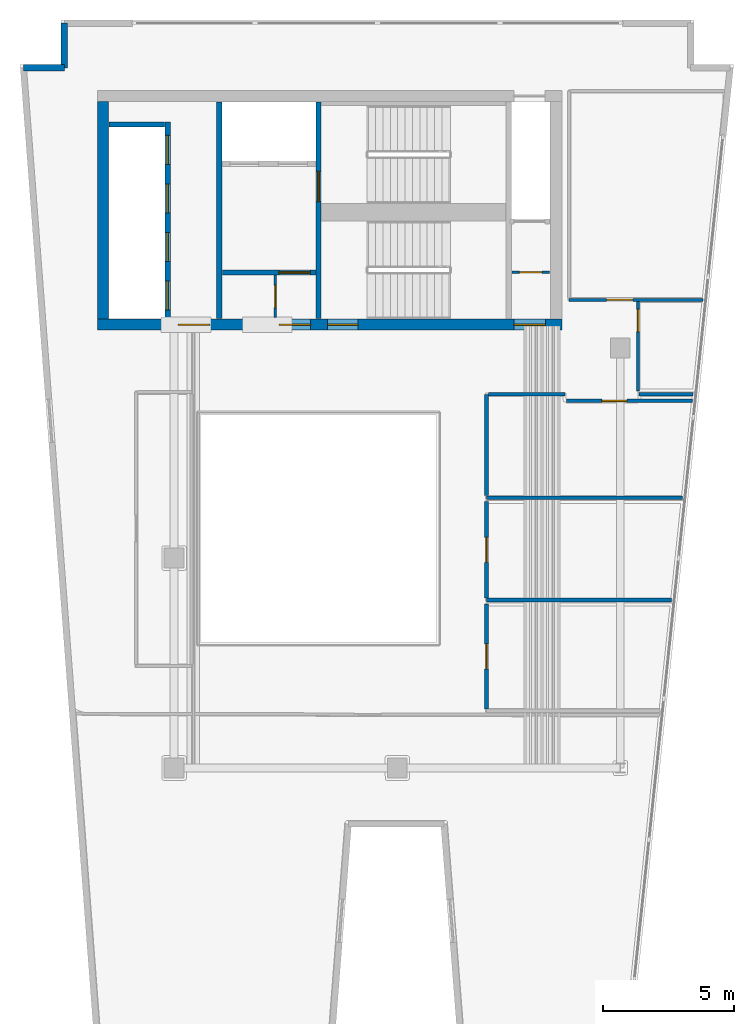
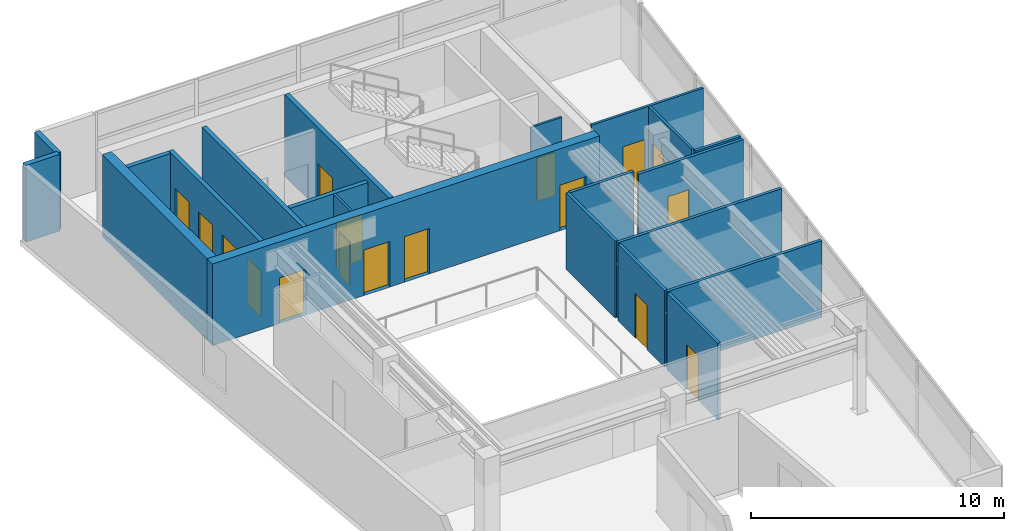
# One storey, part 3 of 6: 21 walls, 17 doors, 17 openings.
"""IFC4 building model written with IfcOpenShell, lengths in metres."""

from ifc_helpers import new_model, si_unit, direction, frame, frame_2d, origin, place, context, subcontext, project, spatial, rectangle, extrude, material, layer, layer_set, type_object, element, fill, save


model = new_model("IFC4")

# Units and contexts
model_context = context("Model", 3, precision=1e-05, world=origin(), true_north=direction((0.0, 1.0)))
body_context = subcontext(model_context, "Body", "Model", "MODEL_VIEW")
ifc_project = project(units=[si_unit("LENGTHUNIT", "METRE"), si_unit("AREAUNIT", "SQUARE_METRE"), si_unit("VOLUMEUNIT", "CUBIC_METRE"), si_unit("PLANEANGLEUNIT", "RADIAN"), si_unit("MASSUNIT", "GRAM", prefix="KILO")], contexts=[model_context])

# Site, building, storey
site_placement = place(None, origin())
site = spatial("IfcSite", under=ifc_project, at=site_placement, CompositionType="ELEMENT")
building_placement = place(site_placement, origin())
building = spatial("IfcBuilding", under=site, at=building_placement, Name="Caeloran Harvest Quay", CompositionType="ELEMENT")
storey_placement = place(building_placement, frame((0.0, 0.0, 292.25)))
storey = spatial("IfcBuildingStorey", under=building, at=storey_placement, Name="L70", CompositionType="ELEMENT", Elevation=292.25)

# Walls
ifc_material_1 = material(Name="Precast concrete C50/60", Category="concrete")
ifc_layer_1 = layer(ifc_material_1, 0.239990234375, Name="Precast concrete C50/60")
ifc_layer_set_1 = layer_set([ifc_layer_1], Name="Precast concrete C50/60")
wall_type_1 = type_object("IfcWallType", Name="ENV-WALL-EW-240", PredefinedType="STANDARD", material=ifc_layer_set_1)
wall_1_placement = place(storey_placement, frame((2.7587890625, 41.679931640625, 0.0), z_axis=(0.0, 0.0, 1.0), x_axis=(1.0, 0.0, 0.0)))
element("IfcWall", 1, at=wall_1_placement, inside=storey, type_object=wall_type_1, Name="L70 Exterior Precast Concrete Facade Wall 4", PredefinedType="STANDARD", context=body_context, shape_type="SweptSolid", body=[
    extrude(rectangle(XDim=1.561279296875, YDim=0.239990234375, at=frame_2d((0.78076171875, 0.0))), origin(), (0.0, 0.0, 1.0), 3.699951171875),
])
wall_2_placement = place(storey_placement, frame((4.320068359375, 41.679931640625, 0.0), z_axis=(0.0, 0.0, 1.0), x_axis=(0.0, 1.0, 0.0)))
element("IfcWall", 2, at=wall_2_placement, inside=storey, type_object=wall_type_1, Name="L70 Exterior Precast Concrete Facade Wall 5", PredefinedType="STANDARD", context=body_context, shape_type="SweptSolid", body=[
    extrude(rectangle(XDim=1.699951171875, YDim=0.239990234375, at=frame_2d((0.85009765625, 0.0))), origin(), (0.0, 0.0, 1.0), 3.699951171875),
])

# Wall, opening, door
ifc_material_2 = material(Name="Fire-Resisting Gypsum Core Riser Partition", Category="gypsum")
ifc_layer_2 = layer(ifc_material_2, 0.10009765625, Name="Fire-Resisting Gypsum Core Riser Partition")
ifc_layer_set_2 = layer_set([ifc_layer_2], Name="Fire-Resisting Gypsum Core Riser Partition")
wall_type_2 = type_object("IfcWallType", Name="INT-WALL-PW-100", PredefinedType="PARTITIONING", material=ifc_layer_set_2)
wall_3_placement = place(storey_placement, frame((12.360107421875, 32.159912109375, 0.0), z_axis=(0.0, 0.0, 1.0), x_axis=(0.0, 1.0, 0.0)))
wall_3 = element("IfcWall", 3, at=wall_3_placement, inside=storey, type_object=wall_type_2, Name="L70 Core Store Partition Wall", PredefinedType="PARTITIONING", context=body_context, shape_type="SweptSolid", body=[
    extrude(rectangle(XDim=1.6201171875, YDim=0.10009765625, at=frame_2d((0.81005859375, 0.0))), origin(), (0.0, 0.0, 1.0), 3.699951171875),
])
opening_1_placement = place(wall_3_placement, frame((0.3798828125, 0.0, 0.0)))
opening_1 = element("IfcOpeningElement", 4, at=opening_1_placement, cuts=wall_3, Name="Opening SV-01", PredefinedType="OPENING", context=body_context, shape_type="SweptSolid", body=[
    extrude(rectangle(XDim=0.85009765625, YDim=2.10009765625, at=frame_2d((0.425048828125, 1.050048828125))), frame((0.0, 0.06005859375, 0.0), z_axis=(0.0, -1.0, 0.0), x_axis=(1.0, 0.0, 0.0)), (0.0, 0.0, 1.0), 0.1201171875),
])
ifc_material_3 = material(Name="Galvanized Painted Steel", Category="steel")
door_type_1 = type_object("IfcDoorType", Name="INTDOOR-SV-01", OperationType="NOTDEFINED", PredefinedType="DOOR", material=ifc_material_3)
door_1_placement = place(opening_1_placement, origin())
door_1 = element("IfcDoor", 5, at=door_1_placement, inside=storey, type_object=door_type_1, Name="L70 Core Service Room Access Door", OperationType="SINGLE_SWING_LEFT", OverallHeight=2.10009765625, OverallWidth=0.85009765625, PredefinedType="DOOR", context=body_context, shape_type="SweptSolid", body=[
    extrude(rectangle(XDim=0.85009765625, YDim=2.10009765625, at=frame_2d((0.425048828125, 1.050048828125))), frame((0.0, 0.02490234375, 0.0), z_axis=(0.0, -1.0, 0.0), x_axis=(1.0, 0.0, 0.0)), (0.0, 0.0, 1.0), 0.050048828125),
])
fill(opening_1, door_1)

wall_4_placement = place(storey_placement, frame((21.3798828125, 33.889892578125, 0.0), z_axis=(0.0, 0.0, 1.0), x_axis=(1.0, 0.0, 0.0)))
wall_4 = element("IfcWall", 6, at=wall_4_placement, inside=storey, type_object=wall_type_2, Name="L70 Cleaner Store Partition Wall", PredefinedType="PARTITIONING", context=body_context, shape_type="SweptSolid", body=[
    extrude(rectangle(XDim=1.420166015625, YDim=0.10009765625, at=frame_2d((0.7099609375, 0.0))), origin(), (0.0, 0.0, 1.0), 3.699951171875),
])
opening_2_placement = place(wall_4_placement, frame((0.280029296875, 0.0, 0.0)))
opening_2 = element("IfcOpeningElement", 7, at=opening_2_placement, cuts=wall_4, Name="Opening SV-01", PredefinedType="OPENING", context=body_context, shape_type="SweptSolid", body=[
    extrude(rectangle(XDim=0.85009765625, YDim=2.10009765625, at=frame_2d((0.425048828125, 1.050048828125))), frame((0.0, 0.06005859375, 0.0), z_axis=(0.0, -1.0, 0.0), x_axis=(1.0, 0.0, 0.0)), (0.0, 0.0, 1.0), 0.1201171875),
])
door_2_placement = place(opening_2_placement, origin())
door_2 = element("IfcDoor", 8, at=door_2_placement, inside=storey, type_object=door_type_1, Name="L70 Cleaner Supply Store Access Door", OperationType="SINGLE_SWING_RIGHT", OverallHeight=2.10009765625, OverallWidth=0.85009765625, PredefinedType="DOOR", context=body_context, shape_type="SweptSolid", body=[
    extrude(rectangle(XDim=0.85009765625, YDim=2.10009765625, at=frame_2d((0.425048828125, 1.050048828125))), frame((0.0, 0.02490234375, 0.0), z_axis=(0.0, -1.0, 0.0), x_axis=(1.0, 0.0, 0.0)), (0.0, 0.0, 1.0), 0.050048828125),
])
fill(opening_2, door_2)

ifc_material_4 = material(Name="Single-Stud Acoustic Gypsum Office Partition", Category="gypsum")
ifc_layer_3 = layer(ifc_material_4, 0.112060546875, Name="Single-Stud Acoustic Gypsum Office Partition")
ifc_layer_set_3 = layer_set([ifc_layer_3], Name="Single-Stud Acoustic Gypsum Office Partition")
wall_type_3 = type_object("IfcWallType", Name="INT-WALL-PW-112", PredefinedType="PARTITIONING", material=ifc_layer_set_3)
wall_5_placement = place(storey_placement, frame((28.654052734375, 32.840087890625, 0.0), z_axis=(0.0, 0.0, 1.0), x_axis=(-1.0, 0.0, 0.0)))
wall_5 = element("IfcWall", 9, at=wall_5_placement, inside=storey, type_object=wall_type_3, Name="L70 Bioinformatics and Crop Phenotyping Laboratory Partition Wall", PredefinedType="PARTITIONING", context=body_context, shape_type="SweptSolid", body=[
    extrude(rectangle(XDim=5.114013671875, YDim=0.112060546875, at=frame_2d((2.55712890625, 0.0))), origin(), (0.0, 0.0, 1.0), 3.699951171875),
])
opening_3_placement = place(wall_5_placement, frame((2.6767578125, 0.0, 0.0)))
opening_3 = element("IfcOpeningElement", 10, at=opening_3_placement, cuts=wall_5, Name="Opening ID-01", PredefinedType="OPENING", context=body_context, shape_type="SweptSolid", body=[
    extrude(rectangle(XDim=1.0, YDim=2.14990234375, at=frame_2d((0.5, 1.074951171875))), frame((0.0, 0.06591796875, 0.0), z_axis=(0.0, -1.0, 0.0), x_axis=(1.0, 0.0, 0.0)), (0.0, 0.0, 1.0), 0.132080078125),
])
ifc_material_5 = material(Name="FSC Solid-Core Ash Timber and Acoustic Seal", Category="wood")
door_type_2 = type_object("IfcDoorType", Name="INTDOOR-ID-01", OperationType="NOTDEFINED", PredefinedType="DOOR", material=ifc_material_5)
door_3_placement = place(opening_3_placement, origin())
door_3 = element("IfcDoor", 11, at=door_3_placement, inside=storey, type_object=door_type_2, Name="L70 Bioinformatics and Crop Phenotyping Laboratory Access Door", OperationType="SINGLE_SWING_RIGHT", OverallHeight=2.14990234375, OverallWidth=1.0, PredefinedType="DOOR", context=body_context, shape_type="SweptSolid", body=[
    extrude(rectangle(XDim=1.0, YDim=2.14990234375, at=frame_2d((0.5, 1.074951171875))), frame((0.0, 0.02490234375, 0.0), z_axis=(0.0, -1.0, 0.0), x_axis=(1.0, 0.0, 0.0)), (0.0, 0.0, 1.0), 0.050048828125),
])
fill(opening_3, door_3)

wall_6_placement = place(storey_placement, frame((26.179931640625, 29.3701171875, 0.0), z_axis=(0.0, 0.0, 1.0), x_axis=(0.0, 1.0, 0.0)))
wall_6 = element("IfcWall", 12, at=wall_6_placement, inside=storey, type_object=wall_type_3, Name="Advisory Council Boardroom Partition Wall", PredefinedType="PARTITIONING", context=body_context, shape_type="SweptSolid", body=[
    extrude(rectangle(XDim=3.408935546875, YDim=0.112060546875, at=frame_2d((1.70458984375, 0.0))), origin(), (0.0, 0.0, 1.0), 3.699951171875),
])
opening_4_placement = place(wall_6_placement, frame((2.25341796875, 0.0, 0.0)))
opening_4 = element("IfcOpeningElement", 13, at=opening_4_placement, cuts=wall_6, Name="Opening SV-01", PredefinedType="OPENING", context=body_context, shape_type="SweptSolid", body=[
    extrude(rectangle(XDim=0.85009765625, YDim=2.10009765625, at=frame_2d((0.425048828125, 1.050048828125))), frame((0.0, 0.06591796875, 0.0), z_axis=(0.0, -1.0, 0.0), x_axis=(1.0, 0.0, 0.0)), (0.0, 0.0, 1.0), 0.132080078125),
])
door_4_placement = place(opening_4_placement, origin())
door_4 = element("IfcDoor", 14, at=door_4_placement, inside=storey, type_object=door_type_1, Name="Advisory Council Boardroom Access Door", OperationType="SINGLE_SWING_LEFT", OverallHeight=2.10009765625, OverallWidth=0.85009765625, PredefinedType="DOOR", context=body_context, shape_type="SweptSolid", body=[
    extrude(rectangle(XDim=0.85009765625, YDim=2.10009765625, at=frame_2d((0.425048828125, 1.050048828125))), frame((0.0, 0.02490234375, 0.0), z_axis=(0.0, -1.0, 0.0), x_axis=(1.0, 0.0, 0.0)), (0.0, 0.0, 1.0), 0.050048828125),
])
fill(opening_4, door_4)

ifc_material_6 = material(Name="Moisture-Resistant Cement-Board Sanitary Partition", Category="gypsum")
ifc_layer_4 = layer(ifc_material_6, 0.139892578125, Name="Moisture-Resistant Cement-Board Sanitary Partition")
ifc_layer_set_4 = layer_set([ifc_layer_4], Name="Moisture-Resistant Cement-Board Sanitary Partition")
wall_type_4 = type_object("IfcWallType", Name="INT-WALL-PW-140", PredefinedType="PARTITIONING", material=ifc_layer_set_4)
wall_7_placement = place(storey_placement, frame((23.449951171875, 28.989990234375, 0.0), z_axis=(0.0, 0.0, 1.0), x_axis=(1.0, 0.0, 0.0)))
wall_7 = element("IfcWall", 15, at=wall_7_placement, inside=storey, type_object=wall_type_4, Name="L70 Male Washroom WC Partition Wall", PredefinedType="PARTITIONING", context=body_context, shape_type="SweptSolid", body=[
    extrude(rectangle(XDim=4.799560546875, YDim=0.139892578125, at=frame_2d((2.39990234375, 0.0))), origin(), (0.0, 0.0, 1.0), 3.699951171875),
])
opening_5_placement = place(wall_7_placement, frame((1.347412109375, 0.0, 0.0)))
opening_5 = element("IfcOpeningElement", 16, at=opening_5_placement, cuts=wall_7, Name="Opening WC-01", PredefinedType="OPENING", context=body_context, shape_type="SweptSolid", body=[
    extrude(rectangle(XDim=0.949951171875, YDim=2.14990234375, at=frame_2d((0.47509765625, 1.074951171875))), frame((0.0, 0.080078125, 0.0), z_axis=(0.0, -1.0, 0.0), x_axis=(1.0, 0.0, 0.0)), (0.0, 0.0, 1.0), 0.159912109375),
])
ifc_material_7 = material(Name="High-Pressure Laminate Moisture-Resistant Timber", Category="wood")
door_type_3 = type_object("IfcDoorType", Name="INTDOOR-WC-01", OperationType="NOTDEFINED", PredefinedType="DOOR", material=ifc_material_7)
door_5_placement = place(opening_5_placement, origin())
door_5 = element("IfcDoor", 17, at=door_5_placement, inside=storey, type_object=door_type_3, Name="L70 Male Washroom WC Access Door", OperationType="SINGLE_SWING_RIGHT", OverallHeight=2.14990234375, OverallWidth=0.949951171875, PredefinedType="DOOR", context=body_context, shape_type="SweptSolid", body=[
    extrude(rectangle(XDim=0.949951171875, YDim=2.14990234375, at=frame_2d((0.47509765625, 1.074951171875))), frame((0.0, 0.02490234375, 0.0), z_axis=(0.0, -1.0, 0.0), x_axis=(1.0, 0.0, 0.0)), (0.0, 0.0, 1.0), 0.050048828125),
])
fill(opening_5, door_5)

# Walls
wall_8_placement = place(storey_placement, frame((26.2099609375, 29.239990234375, 0.0), z_axis=(0.0, 0.0, 1.0), x_axis=(1.0, 0.0, 0.0)))
element("IfcWall", 18, at=wall_8_placement, inside=storey, type_object=wall_type_4, Name="L70 Male Washroom WC Partition Wall", PredefinedType="PARTITIONING", context=body_context, shape_type="SweptSolid", body=[
    extrude(rectangle(XDim=2.06591796875, YDim=0.139892578125, at=frame_2d((1.032958984375, 0.0))), origin(), (0.0, 0.0, 1.0), 3.699951171875),
])
wall_9_placement = place(storey_placement, frame((27.862060546875, 25.300048828125, 0.0), z_axis=(0.0, 0.0, 1.0), x_axis=(-1.0, 0.0, 0.0)))
element("IfcWall", 19, at=wall_9_placement, inside=storey, type_object=wall_type_4, Name="L70 Male Washroom WC Partition Wall", PredefinedType="PARTITIONING", context=body_context, shape_type="SweptSolid", body=[
    extrude(rectangle(XDim=7.462158203125, YDim=0.139892578125, at=frame_2d((3.73095703125, 0.0))), origin(), (0.0, 0.0, 1.0), 3.699951171875),
])
wall_10_placement = place(storey_placement, frame((20.39990234375, 25.375, 0.0), z_axis=(0.0, 0.0, 1.0), x_axis=(0.0, 1.0, 0.0)))
element("IfcWall", 20, at=wall_10_placement, inside=storey, type_object=wall_type_4, Name="L70 Male Washroom WC Partition Wall", PredefinedType="PARTITIONING", context=body_context, shape_type="SweptSolid", body=[
    extrude(rectangle(XDim=3.864990234375, YDim=0.139892578125, at=frame_2d((1.9326171875, 0.0))), origin(), (0.0, 0.0, 1.0), 3.699951171875),
])
wall_11_placement = place(storey_placement, frame((20.47509765625, 29.239990234375, 0.0), z_axis=(0.0, 0.0, 1.0), x_axis=(1.0, 0.0, 0.0)))
element("IfcWall", 21, at=wall_11_placement, inside=storey, type_object=wall_type_4, Name="L70 Male Washroom WC Partition Wall", PredefinedType="PARTITIONING", context=body_context, shape_type="SweptSolid", body=[
    extrude(rectangle(XDim=2.914794921875, YDim=0.139892578125, at=frame_2d((1.45751953125, 0.0))), origin(), (0.0, 0.0, 1.0), 3.699951171875),
])
wall_12_placement = place(storey_placement, frame((27.452392578125, 21.39990234375, 0.0), z_axis=(0.0, 0.0, 1.0), x_axis=(-1.0, 0.0, 0.0)))
element("IfcWall", 22, at=wall_12_placement, inside=storey, type_object=wall_type_4, Name="L70 Female Washroom WC Partition Wall", PredefinedType="PARTITIONING", context=body_context, shape_type="SweptSolid", body=[
    extrude(rectangle(XDim=7.052490234375, YDim=0.139892578125, at=frame_2d((3.5263671875, 0.0))), origin(), (0.0, 0.0, 1.0), 3.699951171875),
])

# Wall, opening, door
wall_13_placement = place(storey_placement, frame((20.39990234375, 21.47509765625, 0.0), z_axis=(0.0, 0.0, 1.0), x_axis=(0.0, 1.0, 0.0)))
wall_13 = element("IfcWall", 23, at=wall_13_placement, inside=storey, type_object=wall_type_4, Name="L70 Female Washroom WC Partition Wall", PredefinedType="PARTITIONING", context=body_context, shape_type="SweptSolid", body=[
    extrude(rectangle(XDim=3.6748046875, YDim=0.139892578125, at=frame_2d((1.83740234375, 0.0))), origin(), (0.0, 0.0, 1.0), 3.699951171875),
])
opening_6_placement = place(wall_13_placement, frame((1.362548828125, 0.0, 0.0)))
opening_6 = element("IfcOpeningElement", 24, at=opening_6_placement, cuts=wall_13, Name="Opening WC-01", PredefinedType="OPENING", context=body_context, shape_type="SweptSolid", body=[
    extrude(rectangle(XDim=0.949951171875, YDim=2.14990234375, at=frame_2d((0.47509765625, 1.074951171875))), frame((0.0, 0.080078125, 0.0), z_axis=(0.0, -1.0, 0.0), x_axis=(1.0, 0.0, 0.0)), (0.0, 0.0, 1.0), 0.159912109375),
])
door_6_placement = place(opening_6_placement, origin())
door_6 = element("IfcDoor", 25, at=door_6_placement, inside=storey, type_object=door_type_3, Name="L70 Female Washroom WC Access Door", OperationType="SINGLE_SWING_LEFT", OverallHeight=2.14990234375, OverallWidth=0.949951171875, PredefinedType="DOOR", context=body_context, shape_type="SweptSolid", body=[
    extrude(rectangle(XDim=0.949951171875, YDim=2.14990234375, at=frame_2d((0.47509765625, 1.074951171875))), frame((0.0, 0.02490234375, 0.0), z_axis=(0.0, -1.0, 0.0), x_axis=(1.0, 0.0, 0.0)), (0.0, 0.0, 1.0), 0.050048828125),
])
fill(opening_6, door_6)

wall_14_placement = place(storey_placement, frame((20.39990234375, 17.2548828125, 0.0), z_axis=(0.0, 0.0, 1.0), x_axis=(0.0, 1.0, 0.0)))
wall_14 = element("IfcWall", 26, at=wall_14_placement, inside=storey, type_object=wall_type_4, Name="L70 Accessible Unisex Washroom WC Partition Wall", PredefinedType="PARTITIONING", context=body_context, shape_type="SweptSolid", body=[
    extrude(rectangle(XDim=3.9951171875, YDim=0.139892578125, at=frame_2d((1.99755859375, 0.0))), origin(), (0.0, 0.0, 1.0), 3.699951171875),
])
opening_7_placement = place(wall_14_placement, frame((1.5224609375, 0.0, 0.0)))
opening_7 = element("IfcOpeningElement", 27, at=opening_7_placement, cuts=wall_14, Name="Opening WC-01", PredefinedType="OPENING", context=body_context, shape_type="SweptSolid", body=[
    extrude(rectangle(XDim=0.949951171875, YDim=2.14990234375, at=frame_2d((0.47509765625, 1.074951171875))), frame((0.0, 0.080078125, 0.0), z_axis=(0.0, -1.0, 0.0), x_axis=(1.0, 0.0, 0.0)), (0.0, 0.0, 1.0), 0.159912109375),
])
door_7_placement = place(opening_7_placement, origin())
door_7 = element("IfcDoor", 28, at=door_7_placement, inside=storey, type_object=door_type_3, Name="L70 Accessible Unisex Washroom WC Access Door", OperationType="SINGLE_SWING_RIGHT", OverallHeight=2.14990234375, OverallWidth=0.949951171875, PredefinedType="DOOR", context=body_context, shape_type="SweptSolid", body=[
    extrude(rectangle(XDim=0.949951171875, YDim=2.14990234375, at=frame_2d((0.47509765625, 1.074951171875))), frame((0.0, 0.02490234375, 0.0), z_axis=(0.0, -1.0, 0.0), x_axis=(1.0, 0.0, 0.0)), (0.0, 0.0, 1.0), 0.050048828125),
])
fill(opening_7, door_7)

# Wall, openings, doors
ifc_material_8 = material(Name="Concrete C50/60", Category="concrete")
ifc_layer_5 = layer(ifc_material_8, 0.199951171875, Name="Concrete C50/60")
ifc_layer_set_5 = layer_set([ifc_layer_5], Name="Concrete C50/60")
wall_type_5 = type_object("IfcWallType", Name="INT-WALL-SW-200", PredefinedType="PARTITIONING", material=ifc_layer_set_5)
wall_15_placement = place(storey_placement, frame((8.260009765625, 32.1201171875, 0.0), z_axis=(0.0, 0.0, 1.0), x_axis=(0.0, 1.0, 0.0)))
wall_15 = element("IfcWall", 29, at=wall_15_placement, inside=storey, type_object=wall_type_5, Name="L70 Bank 3 Lift Shaft Wall", PredefinedType="PARTITIONING", context=body_context, shape_type="SweptSolid", body=[
    extrude(rectangle(XDim=7.5, YDim=0.199951171875, at=frame_2d((3.75, 0.0))), origin(), (0.0, 0.0, 1.0), 3.699951171875),
])
opening_8_placement = place(wall_15_placement, frame((0.330078125, 0.0, 0.0)))
opening_8 = element("IfcOpeningElement", 30, at=opening_8_placement, cuts=wall_15, Name="Opening LD-01", PredefinedType="OPENING", context=body_context, shape_type="SweptSolid", body=[
    extrude(rectangle(XDim=1.10009765625, YDim=2.199951171875, at=frame_2d((0.550048828125, 1.10009765625))), frame((0.0, 0.10986328125, 0.0), z_axis=(0.0, -1.0, 0.0), x_axis=(1.0, 0.0, 0.0)), (0.0, 0.0, 1.0), 0.219970703125),
])
opening_9_placement = place(wall_15_placement, frame((2.179931640625, 0.0, 0.0)))
opening_9 = element("IfcOpeningElement", 31, at=opening_9_placement, cuts=wall_15, Name="Opening LD-01", PredefinedType="OPENING", context=body_context, shape_type="SweptSolid", body=[
    extrude(rectangle(XDim=1.10009765625, YDim=2.199951171875, at=frame_2d((0.550048828125, 1.10009765625))), frame((0.0, 0.10986328125, 0.0), z_axis=(0.0, -1.0, 0.0), x_axis=(1.0, 0.0, 0.0)), (0.0, 0.0, 1.0), 0.219970703125),
])
opening_10_placement = place(wall_15_placement, frame((4.030029296875, 0.0, 0.0)))
opening_10 = element("IfcOpeningElement", 32, at=opening_10_placement, cuts=wall_15, Name="Opening LD-01", PredefinedType="OPENING", context=body_context, shape_type="SweptSolid", body=[
    extrude(rectangle(XDim=1.10009765625, YDim=2.199951171875, at=frame_2d((0.550048828125, 1.10009765625))), frame((0.0, 0.10986328125, 0.0), z_axis=(0.0, -1.0, 0.0), x_axis=(1.0, 0.0, 0.0)), (0.0, 0.0, 1.0), 0.219970703125),
])
opening_11_placement = place(wall_15_placement, frame((5.8798828125, 0.0, 0.0)))
opening_11 = element("IfcOpeningElement", 33, at=opening_11_placement, cuts=wall_15, Name="Opening LD-01", PredefinedType="OPENING", context=body_context, shape_type="SweptSolid", body=[
    extrude(rectangle(XDim=1.10009765625, YDim=2.199951171875, at=frame_2d((0.550048828125, 1.10009765625))), frame((0.0, 0.10986328125, 0.0), z_axis=(0.0, -1.0, 0.0), x_axis=(1.0, 0.0, 0.0)), (0.0, 0.0, 1.0), 0.219970703125),
])
ifc_material_9 = material(Name="Stainless Steel Grade 316", Category="steel")
door_type_4 = type_object("IfcDoorType", Name="INTDOOR-LD-01", OperationType="NOTDEFINED", PredefinedType="DOOR", material=ifc_material_9)
door_8_placement = place(opening_8_placement, origin())
door_8 = element("IfcDoor", 34, at=door_8_placement, inside=storey, type_object=door_type_4, Name="Lift P3-1 Sliding Landing Door (L70)", OperationType="DOUBLE_DOOR_SLIDING", OverallHeight=2.199951171875, OverallWidth=1.10009765625, PredefinedType="DOOR", context=body_context, shape_type="SweptSolid", body=[
    extrude(rectangle(XDim=1.10009765625, YDim=2.199951171875, at=frame_2d((0.550048828125, 1.10009765625))), frame((0.0, 0.02490234375, 0.0), z_axis=(0.0, -1.0, 0.0), x_axis=(1.0, 0.0, 0.0)), (0.0, 0.0, 1.0), 0.050048828125),
])
fill(opening_8, door_8)
door_9_placement = place(opening_9_placement, origin())
door_9 = element("IfcDoor", 35, at=door_9_placement, inside=storey, type_object=door_type_4, Name="Lift P3-2 Sliding Landing Door (L70)", OperationType="DOUBLE_DOOR_SLIDING", OverallHeight=2.199951171875, OverallWidth=1.10009765625, PredefinedType="DOOR", context=body_context, shape_type="SweptSolid", body=[
    extrude(rectangle(XDim=1.10009765625, YDim=2.199951171875, at=frame_2d((0.550048828125, 1.10009765625))), frame((0.0, 0.02490234375, 0.0), z_axis=(0.0, -1.0, 0.0), x_axis=(1.0, 0.0, 0.0)), (0.0, 0.0, 1.0), 0.050048828125),
])
fill(opening_9, door_9)
door_10_placement = place(opening_10_placement, origin())
door_10 = element("IfcDoor", 36, at=door_10_placement, inside=storey, type_object=door_type_4, Name="Lift P3-3 Sliding Landing Door (L70)", OperationType="DOUBLE_DOOR_SLIDING", OverallHeight=2.199951171875, OverallWidth=1.10009765625, PredefinedType="DOOR", context=body_context, shape_type="SweptSolid", body=[
    extrude(rectangle(XDim=1.10009765625, YDim=2.199951171875, at=frame_2d((0.550048828125, 1.10009765625))), frame((0.0, 0.02490234375, 0.0), z_axis=(0.0, -1.0, 0.0), x_axis=(1.0, 0.0, 0.0)), (0.0, 0.0, 1.0), 0.050048828125),
])
fill(opening_10, door_10)
door_11_placement = place(opening_11_placement, origin())
door_11 = element("IfcDoor", 37, at=door_11_placement, inside=storey, type_object=door_type_4, Name="Lift P3-4 Sliding Landing Door (L70)", OperationType="DOUBLE_DOOR_SLIDING", OverallHeight=2.199951171875, OverallWidth=1.10009765625, PredefinedType="DOOR", context=body_context, shape_type="SweptSolid", body=[
    extrude(rectangle(XDim=1.10009765625, YDim=2.199951171875, at=frame_2d((0.550048828125, 1.10009765625))), frame((0.0, 0.02490234375, 0.0), z_axis=(0.0, -1.0, 0.0), x_axis=(1.0, 0.0, 0.0)), (0.0, 0.0, 1.0), 0.050048828125),
])
fill(opening_11, door_11)

# Walls
wall_16_placement = place(storey_placement, frame((6.02001953125, 39.52001953125, 0.0), z_axis=(0.0, 0.0, 1.0), x_axis=(1.0, 0.0, 0.0)))
element("IfcWall", 38, at=wall_16_placement, inside=storey, type_object=wall_type_5, Name="L70 Bank 3 Lift Shaft North End Wall", PredefinedType="PARTITIONING", context=body_context, shape_type="SweptSolid", body=[
    extrude(rectangle(XDim=2.119873046875, YDim=0.199951171875, at=frame_2d((1.06005859375, 0.0))), origin(), (0.0, 0.0, 1.0), 3.699951171875),
])
wall_17_placement = place(storey_placement, frame((10.219970703125, 32.1201171875, 0.0), z_axis=(0.0, 0.0, 1.0), x_axis=(0.0, 1.0, 0.0)))
element("IfcWall", 39, at=wall_17_placement, inside=storey, type_object=wall_type_5, Name="L70 Core Lobby Compartment Wall", PredefinedType="PARTITIONING", context=body_context, shape_type="SweptSolid", body=[
    extrude(rectangle(XDim=8.259765625, YDim=0.199951171875, at=frame_2d((4.1298828125, 0.0))), origin(), (0.0, 0.0, 1.0), 3.699951171875),
])

# Wall, opening, door
wall_18_placement = place(storey_placement, frame((10.340087890625, 33.8798828125, 0.0), z_axis=(0.0, 0.0, 1.0), x_axis=(1.0, 0.0, 0.0)))
wall_18 = element("IfcWall", 40, at=wall_18_placement, inside=storey, type_object=wall_type_5, Name="L70 Firefighting Lift Lobby Enclosure Wall", PredefinedType="PARTITIONING", context=body_context, shape_type="SweptSolid", body=[
    extrude(rectangle(XDim=3.559814453125, YDim=0.199951171875, at=frame_2d((1.77978515625, 0.0))), origin(), (0.0, 0.0, 1.0), 3.699951171875),
])
opening_12_placement = place(wall_18_placement, frame((2.14990234375, 0.0, 0.0)))
opening_12 = element("IfcOpeningElement", 41, at=opening_12_placement, cuts=wall_18, Name="Opening FD-01", PredefinedType="OPENING", context=body_context, shape_type="SweptSolid", body=[
    extrude(rectangle(XDim=1.199951171875, YDim=2.199951171875, at=frame_2d((0.60009765625, 1.10009765625))), frame((0.0, 0.10986328125, 0.0), z_axis=(0.0, -1.0, 0.0), x_axis=(1.0, 0.0, 0.0)), (0.0, 0.0, 1.0), 0.219970703125),
])
ifc_material_10 = material(Name="Steel", Category="steel")
door_type_5 = type_object("IfcDoorType", Name="INTDOOR-FD-01", OperationType="NOTDEFINED", PredefinedType="DOOR", material=ifc_material_10)
door_12_placement = place(opening_12_placement, origin())
door_12 = element("IfcDoor", 42, at=door_12_placement, inside=storey, type_object=door_type_5, Name="L70 Firefighting Lift Lobby Smoke-Seal Fire Door", OperationType="SINGLE_SWING_RIGHT", OverallHeight=2.199951171875, OverallWidth=1.199951171875, PredefinedType="DOOR", context=body_context, shape_type="SweptSolid", body=[
    extrude(rectangle(XDim=1.199951171875, YDim=2.199951171875, at=frame_2d((0.60009765625, 1.10009765625))), frame((0.0, 0.02490234375, 0.0), z_axis=(0.0, -1.0, 0.0), x_axis=(1.0, 0.0, 0.0)), (0.0, 0.0, 1.0), 0.050048828125),
])
fill(opening_12, door_12)

# Wall, openings, doors
ifc_material_11 = material(Name="Concrete C60/75", Category="concrete")
ifc_layer_6 = layer(ifc_material_11, 0.419921875, Name="Concrete C60/75")
ifc_layer_set_6 = layer_set([ifc_layer_6], Name="Concrete C60/75")
wall_type_6 = type_object("IfcWallType", Name="STR-WALL-CW-420", PredefinedType="SHEAR", material=ifc_layer_set_6)
wall_19_placement = place(storey_placement, frame((5.580078125, 31.889892578125, 0.0), z_axis=(0.0, 0.0, 1.0), x_axis=(1.0, 0.0, 0.0)))
wall_19 = element("IfcWall", 43, at=wall_19_placement, inside=storey, type_object=wall_type_6, Name="L70 Rear Core Shear Wall S", PredefinedType="SHEAR", context=body_context, shape_type="SweptSolid", body=[
    extrude(rectangle(XDim=17.68994140625, YDim=0.419921875, at=frame_2d((8.844970703125, 0.0))), origin(), (0.0, 0.0, 1.0), 3.949951171875),
])
opening_13_placement = place(wall_19_placement, frame((3.070068359375, 0.0, 0.0)))
opening_13 = element("IfcOpeningElement", 44, at=opening_13_placement, cuts=wall_19, Name="Opening FD-01", PredefinedType="OPENING", context=body_context, shape_type="SweptSolid", body=[
    extrude(rectangle(XDim=1.199951171875, YDim=2.199951171875, at=frame_2d((0.60009765625, 1.10009765625))), frame((0.0, 0.219970703125, 0.0), z_axis=(0.0, -1.0, 0.0), x_axis=(1.0, 0.0, 0.0)), (0.0, 0.0, 1.0), 0.43994140625),
])
opening_14_placement = place(wall_19_placement, frame((6.919921875, 0.0, 0.0)))
opening_14 = element("IfcOpeningElement", 45, at=opening_14_placement, cuts=wall_19, Name="Opening FD-01", PredefinedType="OPENING", context=body_context, shape_type="SweptSolid", body=[
    extrude(rectangle(XDim=1.199951171875, YDim=2.199951171875, at=frame_2d((0.60009765625, 1.10009765625))), frame((0.0, 0.219970703125, 0.0), z_axis=(0.0, -1.0, 0.0), x_axis=(1.0, 0.0, 0.0)), (0.0, 0.0, 1.0), 0.43994140625),
])
opening_15_placement = place(wall_19_placement, frame((8.77001953125, 0.0, 0.0)))
opening_15 = element("IfcOpeningElement", 46, at=opening_15_placement, cuts=wall_19, Name="Opening SD-01", PredefinedType="OPENING", context=body_context, shape_type="SweptSolid", body=[
    extrude(rectangle(XDim=1.14990234375, YDim=2.199951171875, at=frame_2d((0.574951171875, 1.10009765625))), frame((0.0, 0.219970703125, 0.0), z_axis=(0.0, -1.0, 0.0), x_axis=(1.0, 0.0, 0.0)), (0.0, 0.0, 1.0), 0.43994140625),
])
opening_16_placement = place(wall_19_placement, frame((15.8701171875, 0.0, 0.0)))
opening_16 = element("IfcOpeningElement", 47, at=opening_16_placement, cuts=wall_19, Name="Opening FD-01", PredefinedType="OPENING", context=body_context, shape_type="SweptSolid", body=[
    extrude(rectangle(XDim=1.199951171875, YDim=2.199951171875, at=frame_2d((0.60009765625, 1.10009765625))), frame((0.0, 0.219970703125, 0.0), z_axis=(0.0, -1.0, 0.0), x_axis=(1.0, 0.0, 0.0)), (0.0, 0.0, 1.0), 0.43994140625),
])
door_13_placement = place(opening_13_placement, origin())
door_13 = element("IfcDoor", 48, at=door_13_placement, inside=storey, type_object=door_type_5, Name="L70 High-Rise Lift Lobby Fire Door", OperationType="SINGLE_SWING_RIGHT", OverallHeight=2.199951171875, OverallWidth=1.199951171875, PredefinedType="DOOR", context=body_context, shape_type="SweptSolid", body=[
    extrude(rectangle(XDim=1.199951171875, YDim=2.199951171875, at=frame_2d((0.60009765625, 1.10009765625))), frame((0.0, 0.02490234375, 0.0), z_axis=(0.0, -1.0, 0.0), x_axis=(1.0, 0.0, 0.0)), (0.0, 0.0, 1.0), 0.050048828125),
])
fill(opening_13, door_13)
door_14_placement = place(opening_14_placement, origin())
door_14 = element("IfcDoor", 49, at=door_14_placement, inside=storey, type_object=door_type_5, Name="L70 Firefighting Lobby Vestibule Fire Door", OperationType="SINGLE_SWING_LEFT", OverallHeight=2.199951171875, OverallWidth=1.199951171875, PredefinedType="DOOR", context=body_context, shape_type="SweptSolid", body=[
    extrude(rectangle(XDim=1.199951171875, YDim=2.199951171875, at=frame_2d((0.60009765625, 1.10009765625))), frame((0.0, 0.02490234375, 0.0), z_axis=(0.0, -1.0, 0.0), x_axis=(1.0, 0.0, 0.0)), (0.0, 0.0, 1.0), 0.050048828125),
])
fill(opening_14, door_14)
door_15_placement = place(opening_16_placement, origin())
door_15 = element("IfcDoor", 50, at=door_15_placement, inside=storey, type_object=door_type_5, Name="L70 Service Lift Lobby Fire Door", OperationType="SINGLE_SWING_LEFT", OverallHeight=2.199951171875, OverallWidth=1.199951171875, PredefinedType="DOOR", context=body_context, shape_type="SweptSolid", body=[
    extrude(rectangle(XDim=1.199951171875, YDim=2.199951171875, at=frame_2d((0.60009765625, 1.10009765625))), frame((0.0, 0.02490234375, 0.0), z_axis=(0.0, -1.0, 0.0), x_axis=(1.0, 0.0, 0.0)), (0.0, 0.0, 1.0), 0.050048828125),
])
fill(opening_16, door_15)
door_type_6 = type_object("IfcDoorType", Name="INTDOOR-SD-01", OperationType="NOTDEFINED", PredefinedType="DOOR", material=ifc_material_10)
door_16_placement = place(opening_15_placement, origin())
door_16 = element("IfcDoor", 51, at=door_16_placement, inside=storey, type_object=door_type_6, Name="L70 Protected Stair ST-C2 Exit Door", OperationType="SINGLE_SWING_RIGHT", OverallHeight=2.199951171875, OverallWidth=1.14990234375, PredefinedType="DOOR", context=body_context, shape_type="SweptSolid", body=[
    extrude(rectangle(XDim=1.14990234375, YDim=2.199951171875, at=frame_2d((0.574951171875, 1.10009765625))), frame((0.0, 0.02490234375, 0.0), z_axis=(0.0, -1.0, 0.0), x_axis=(1.0, 0.0, 0.0)), (0.0, 0.0, 1.0), 0.050048828125),
])
fill(opening_15, door_16)

# Wall
wall_20_placement = place(storey_placement, frame((5.7900390625, 32.10009765625, 0.0), z_axis=(0.0, 0.0, 1.0), x_axis=(0.0, 1.0, 0.0)))
element("IfcWall", 52, at=wall_20_placement, inside=storey, type_object=wall_type_6, Name="L70 Rear Core Shear Wall W", PredefinedType="SHEAR", context=body_context, shape_type="SweptSolid", body=[
    extrude(rectangle(XDim=8.2998046875, YDim=0.419921875, at=frame_2d((4.14990234375, 0.0))), origin(), (0.0, 0.0, 1.0), 3.949951171875),
])

# Wall, opening, door
ifc_layer_7 = layer(ifc_material_11, 0.199951171875, Name="Concrete C60/75")
ifc_layer_set_7 = layer_set([ifc_layer_7], Name="Concrete C60/75")
wall_type_7 = type_object("IfcWallType", Name="STR-WALL-SW-200", PredefinedType="SHEAR", material=ifc_layer_set_7)
wall_21_placement = place(storey_placement, frame((14.0, 32.1201171875, 0.0), z_axis=(0.0, 0.0, 1.0), x_axis=(0.0, 1.0, 0.0)))
wall_21 = element("IfcWall", 53, at=wall_21_placement, inside=storey, type_object=wall_type_7, Name="L70 Core Stair Shaft West Shear Wall", PredefinedType="SHEAR", context=body_context, shape_type="SweptSolid", body=[
    extrude(rectangle(XDim=8.259765625, YDim=0.199951171875, at=frame_2d((4.1298828125, 0.0))), origin(), (0.0, 0.0, 1.0), 3.949951171875),
])
opening_17_placement = place(wall_21_placement, frame((4.4599609375, 0.0, 0.0)))
opening_17 = element("IfcOpeningElement", 54, at=opening_17_placement, cuts=wall_21, Name="Opening SD-01", PredefinedType="OPENING", context=body_context, shape_type="SweptSolid", body=[
    extrude(rectangle(XDim=1.14990234375, YDim=2.199951171875, at=frame_2d((0.574951171875, 1.10009765625))), frame((0.0, 0.10986328125, 0.0), z_axis=(0.0, -1.0, 0.0), x_axis=(1.0, 0.0, 0.0)), (0.0, 0.0, 1.0), 0.219970703125),
])
door_17_placement = place(opening_17_placement, origin())
door_17 = element("IfcDoor", 55, at=door_17_placement, inside=storey, type_object=door_type_6, Name="L70 Protected Stair ST-C1 Exit Door", OperationType="SINGLE_SWING_LEFT", OverallHeight=2.199951171875, OverallWidth=1.14990234375, PredefinedType="DOOR", context=body_context, shape_type="SweptSolid", body=[
    extrude(rectangle(XDim=1.14990234375, YDim=2.199951171875, at=frame_2d((0.574951171875, 1.10009765625))), frame((0.0, 0.02490234375, 0.0), z_axis=(0.0, -1.0, 0.0), x_axis=(1.0, 0.0, 0.0)), (0.0, 0.0, 1.0), 0.050048828125),
])
fill(opening_17, door_17)

save(model, "model.ifc")
